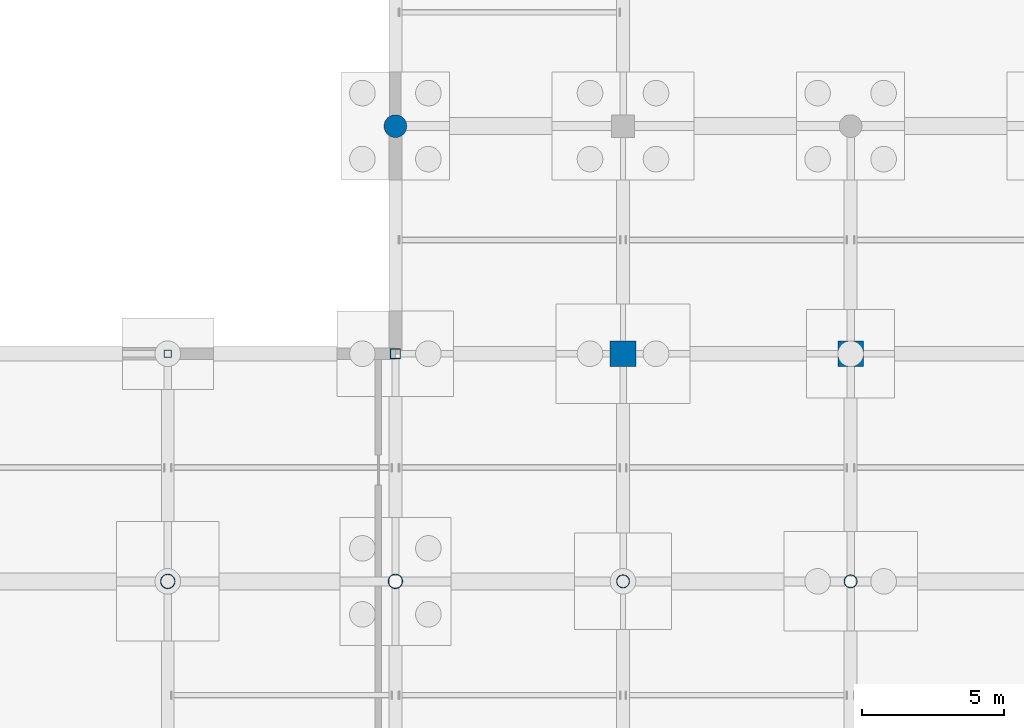
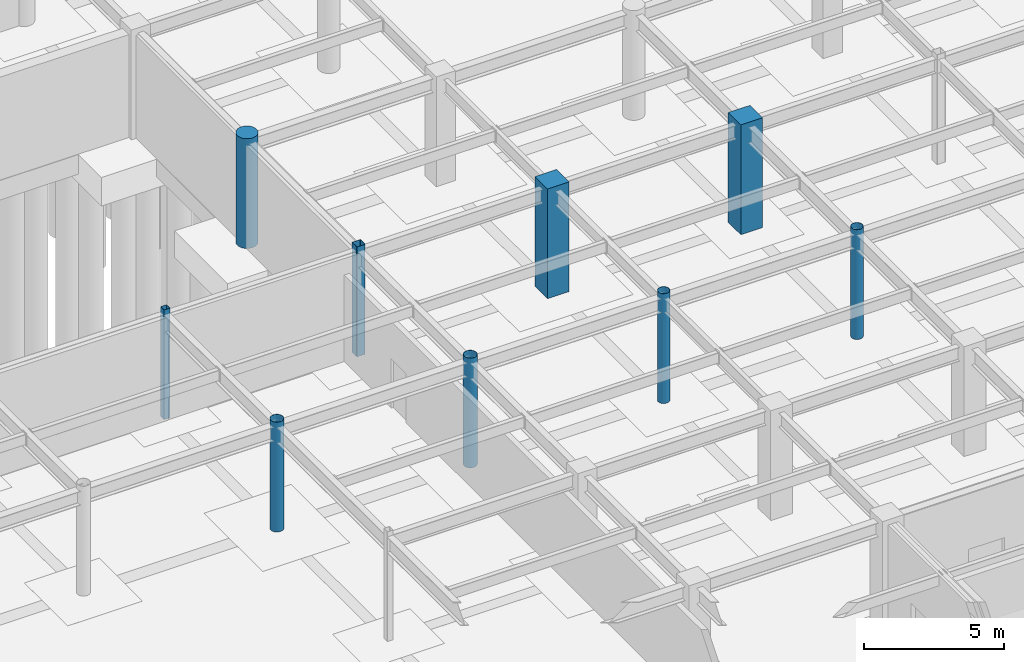
# One storey, part 21 of 105: 9 columns.
"""IFC4 building model written with IfcOpenShell, lengths in metres."""

from ifc_helpers import new_model, si_unit, direction, frame, origin, origin_2d, place, context, subcontext, project, spatial, rectangle, hollow_rectangle, circle, hollow_circle, extrude, material, material_profile, profile_set, type_object, element, save


model = new_model("IFC4")

# Units and contexts
model_context = context("Model", 3, precision=1e-05, world=origin(), true_north=direction((0.0, 1.0)))
body_context = subcontext(model_context, "Body", "Model", "MODEL_VIEW")
ifc_project = project(units=[si_unit("LENGTHUNIT", "METRE"), si_unit("AREAUNIT", "SQUARE_METRE"), si_unit("VOLUMEUNIT", "CUBIC_METRE"), si_unit("PLANEANGLEUNIT", "RADIAN"), si_unit("MASSUNIT", "GRAM", prefix="KILO")], contexts=[model_context])

# Site, building, storey
site_placement = place(None, origin())
site = spatial("IfcSite", under=ifc_project, at=site_placement, CompositionType="ELEMENT")
building_placement = place(site_placement, origin())
building = spatial("IfcBuilding", under=site, at=building_placement, Name="Solmirada Galleria", CompositionType="ELEMENT")
storey_placement = place(building_placement, frame((0.0, 0.0, -4.800048828125)))
storey = spatial("IfcBuildingStorey", under=building, at=storey_placement, Name="B1", CompositionType="ELEMENT", Elevation=-4.800048828125)

# Columns
ifc_material_1 = material(Name="Steel S355 / ASTM A500 Grade C", Category="steel")
ifc_material_profile_1 = material_profile(ifc_material_1, hollow_circle(Radius=0.228515625, WallThickness=0.01171875, at=origin_2d()), Name="HSS18.000X0.500")
ifc_profile_set_1 = profile_set([ifc_material_profile_1], Name="Steel S355 / ASTM A500 Grade C")
column_type_1 = type_object("IfcColumnType", Name="COL-CHS18", PredefinedType="COLUMN", material=ifc_profile_set_1)
for number, where, z_axis, x_axis, name in (
    (1, (88.0, 32.0, 0.0), (0.0, 0.0, 1.0), (1.0, 0.0, 0.0), "Structural column B1-0494"),
    (2, (96.0, 32.0, 0.0), (0.0, 0.0, 1.0), (1.0, 0.0, 0.0), "Structural column B1-0616"),
):
    element("IfcColumn", number, at=place(storey_placement, frame(where, z_axis=z_axis, x_axis=x_axis)), inside=storey, type_object=column_type_1, Name=name, PredefinedType="COLUMN", context=body_context, shape_type="SweptSolid", body=[
        extrude(hollow_circle(Radius=0.228515625, WallThickness=0.01171875, at=origin_2d()), origin(), (0.0, 0.0, 1.0), 4.800048828125),
    ])
ifc_material_profile_2 = material_profile(ifc_material_1, hollow_circle(Radius=0.25390625, WallThickness=0.01171875, at=origin_2d()), Name="HSS20.000X0.500")
ifc_profile_set_2 = profile_set([ifc_material_profile_2], Name="Steel S355 / ASTM A500 Grade C")
column_type_2 = type_object("IfcColumnType", Name="COL-CHS20", PredefinedType="COLUMN", material=ifc_profile_set_2)
for number, where, z_axis, x_axis, name in (
    (3, (72.0, 32.0, 0.0), (0.0, 0.0, 1.0), (1.0, 0.0, 0.0), "Structural column B1-0290"),
    (4, (80.0, 32.0, 0.0), (0.0, 0.0, 1.0), (1.0, 0.0, 0.0), "Structural column B1-0376"),
):
    element("IfcColumn", number, at=place(storey_placement, frame(where, z_axis=z_axis, x_axis=x_axis)), inside=storey, type_object=column_type_2, Name=name, PredefinedType="COLUMN", context=body_context, shape_type="SweptSolid", body=[
        extrude(hollow_circle(Radius=0.25390625, WallThickness=0.01171875, at=origin_2d()), origin(), (0.0, 0.0, 1.0), 4.800048828125),
    ])
ifc_material_2 = material(Name="Concrete C40/50", Category="concrete")
ifc_material_profile_3 = material_profile(ifc_material_2, circle(Radius=0.39990234375, at=origin_2d()), Name="RCCOL800")
ifc_profile_set_3 = profile_set([ifc_material_profile_3], Name="Concrete C40/50")
column_type_3 = type_object("IfcColumnType", Name="COL-CIR800", PredefinedType="COLUMN", material=ifc_profile_set_3)
column_1_placement = place(storey_placement, frame((80.0, 48.0, 0.0), z_axis=(0.0, 0.0, 1.0), x_axis=(1.0, 0.0, 0.0)))
element("IfcColumn", 5, at=column_1_placement, inside=storey, type_object=column_type_3, Name="Structural column B1-0387", PredefinedType="COLUMN", context=body_context, shape_type="SweptSolid", body=[
    extrude(circle(Radius=0.39990234375, at=origin_2d()), origin(), (0.0, 0.0, 1.0), 4.800048828125),
])
ifc_material_profile_4 = material_profile(ifc_material_1, hollow_rectangle(XDim=0.25390625, YDim=0.25390625, WallThickness=0.0087890625, InnerFilletRadius=0.0087890625, OuterFilletRadius=0.017822265625, at=origin_2d()), Name="HSS10X10X3/8")
ifc_profile_set_4 = profile_set([ifc_material_profile_4], Name="Steel S355 / ASTM A500 Grade C")
column_type_4 = type_object("IfcColumnType", Name="COL-HSS10", PredefinedType="COLUMN", material=ifc_profile_set_4)
column_2_placement = place(storey_placement, frame((72.0, 40.0, 0.0), z_axis=(0.0, 0.0, 1.0), x_axis=(1.0, 0.0, 0.0)))
element("IfcColumn", 6, at=column_2_placement, inside=storey, type_object=column_type_4, Name="Structural column B1-0297", PredefinedType="COLUMN", context=body_context, shape_type="SweptSolid", body=[
    extrude(hollow_rectangle(XDim=0.25390625, YDim=0.25390625, WallThickness=0.0087890625, InnerFilletRadius=0.0087890625, OuterFilletRadius=0.017822265625, at=origin_2d()), origin(), (0.0, 0.0, 1.0), 4.800048828125),
])
ifc_material_profile_5 = material_profile(ifc_material_1, hollow_rectangle(XDim=0.35595703125, YDim=0.35595703125, WallThickness=0.01171875, InnerFilletRadius=0.01171875, OuterFilletRadius=0.023681640625, at=origin_2d()), Name="HSS14X14X1/2")
ifc_profile_set_5 = profile_set([ifc_material_profile_5], Name="Steel S355 / ASTM A500 Grade C")
column_type_5 = type_object("IfcColumnType", Name="COL-HSS14", PredefinedType="COLUMN", material=ifc_profile_set_5)
column_3_placement = place(storey_placement, frame((80.0, 40.0, 0.0), z_axis=(0.0, 0.0, 1.0), x_axis=(1.0, 0.0, 0.0)))
element("IfcColumn", 7, at=column_3_placement, inside=storey, type_object=column_type_5, Name="Structural column B1-0383", PredefinedType="COLUMN", context=body_context, shape_type="SweptSolid", body=[
    extrude(hollow_rectangle(XDim=0.35595703125, YDim=0.35595703125, WallThickness=0.01171875, InnerFilletRadius=0.01171875, OuterFilletRadius=0.023681640625, at=origin_2d()), origin(), (0.0, 0.0, 1.0), 4.800048828125),
])
ifc_material_profile_6 = material_profile(ifc_material_2, rectangle(XDim=0.89990234375, YDim=0.89990234375, at=origin_2d()), Name="RC900X900")
ifc_profile_set_6 = profile_set([ifc_material_profile_6], Name="Concrete C40/50")
column_type_6 = type_object("IfcColumnType", Name="COL-RC900", PredefinedType="COLUMN", material=ifc_profile_set_6)
for number, where, z_axis, x_axis, name in (
    (8, (88.0, 40.0, 0.0), (0.0, 0.0, 1.0), (1.0, 0.0, 0.0), "Structural column B1-0502"),
    (9, (96.0, 40.0, 0.0), (0.0, 0.0, 1.0), (1.0, 0.0, 0.0), "Structural column B1-0624"),
):
    element("IfcColumn", number, at=place(storey_placement, frame(where, z_axis=z_axis, x_axis=x_axis)), inside=storey, type_object=column_type_6, Name=name, PredefinedType="COLUMN", context=body_context, shape_type="SweptSolid", body=[
        extrude(rectangle(XDim=0.89990234375, YDim=0.89990234375, at=origin_2d()), origin(), (0.0, 0.0, 1.0), 4.800048828125),
    ])

save(model, "model.ifc")
